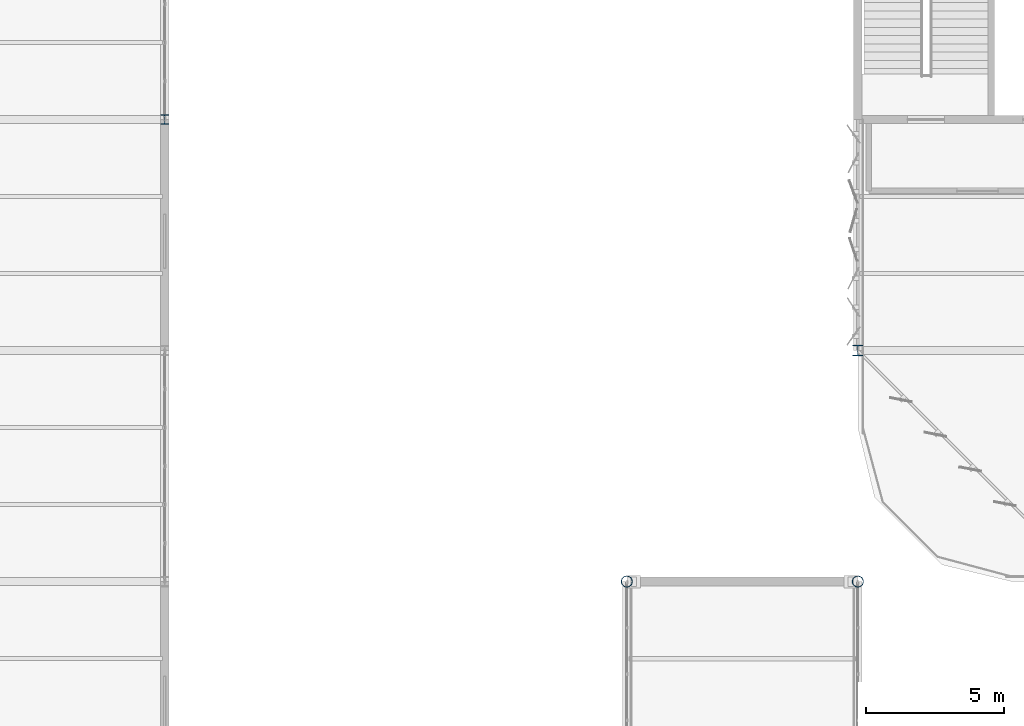
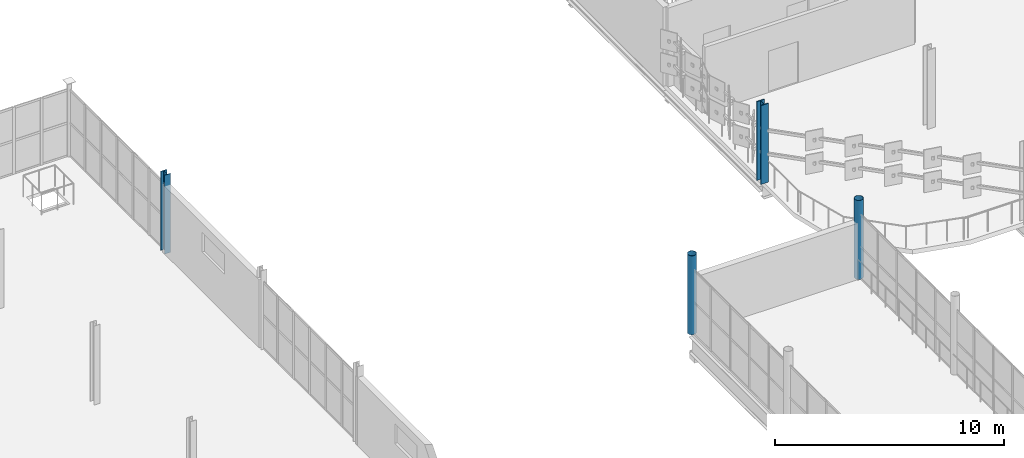
# One storey, part 11 of 163: 4 columns.
"""IFC4 building model written with IfcOpenShell, lengths in metres."""

import ifcopenshell
import ifcopenshell.guid

model = None  # the IFC model being written
_history = None  # IfcOwnerHistory: only IFC2X3 demands one
_inside = {}  # id of a spatial element -> (the spatial element, [elements in it])
_under = {}  # id of a project, library or spatial element -> (it, [spatial elements below it])
_declared = {}  # id of a project -> (the project, [libraries it declares])
_typed = {}  # id of a type object -> (the type object, [elements of that type])
_made_of = {}  # id of a material, layer set ... -> (it, [elements and type objects made of it])


def new_model(schema):
    """Start an empty IFC model of exactly this schema.

    Asked for "IFC4X3", IfcOpenShell would pick the latest addendum, in which some entities
    have other attributes; the version numbers below select the first issue.
    IFC2X3 requires an IfcOwnerHistory on every rooted entity: one is made here for all.
    """
    global model, _history
    if schema == "IFC4X3":
        model = ifcopenshell.file(schema_version=(4, 3, 0, 0))
    else:
        model = ifcopenshell.file(schema=schema)
    _inside.clear()
    _under.clear()
    _declared.clear()
    _typed.clear()
    _made_of.clear()
    _history = None
    if model.schema == "IFC2X3":
        org = make("IfcOrganization", Name="unknown")
        user = make(
            "IfcPersonAndOrganization",
            ThePerson=make("IfcPerson", FamilyName="unknown"),
            TheOrganization=org,
        )
        app = make(
            "IfcApplication",
            ApplicationDeveloper=org,
            Version="unknown",
            ApplicationFullName="unknown",
            ApplicationIdentifier="unknown",
        )
        _history = make(
            "IfcOwnerHistory",
            OwningUser=user,
            OwningApplication=app,
            ChangeAction="ADDED",
            CreationDate=0,
        )
    return model


def make(cls, **values):
    """One entity of the class cls with the attributes given. An attribute that is None is left unset."""
    return model.create_entity(
        cls, **{name: value for name, value in values.items() if value is not None}
    )


def rooted(cls, **values):
    """An entity with a GlobalId (a new one), such as an element, a storey or a relation."""
    return make(cls, GlobalId=ifcopenshell.guid.new(), OwnerHistory=_history, **values)


def si_unit(unit_type, name, prefix=None):
    """IfcSIUnit, for example si_unit("LENGTHUNIT", "METRE", prefix="MILLI")."""
    return make("IfcSIUnit", UnitType=unit_type, Prefix=prefix, Name=name)


def assignment(units):
    """IfcUnitAssignment: the units of a project."""
    return None if units is None else make("IfcUnitAssignment", Units=units)


def point(xyz):
    """IfcCartesianPoint."""
    return None if xyz is None else make("IfcCartesianPoint", Coordinates=xyz)


def direction(xyz):
    """IfcDirection."""
    return None if xyz is None else make("IfcDirection", DirectionRatios=xyz)


def frame(location, z_axis=None, x_axis=None):
    """IfcAxis2Placement3D, a coordinate frame: its origin and axes. An axis left out is left unset."""
    return make(
        "IfcAxis2Placement3D",
        Location=point(location),
        Axis=direction(z_axis),
        RefDirection=direction(x_axis),
    )


def frame_2d(location, x_axis=None):
    """IfcAxis2Placement2D, a coordinate frame in the plane: its origin and x axis."""
    return make(
        "IfcAxis2Placement2D", Location=point(location), RefDirection=direction(x_axis)
    )


def origin():
    """The frame at (0, 0, 0) with its axes left unset."""
    return frame((0.0, 0.0, 0.0))


def origin_2d():
    """The frame at (0, 0) in the plane with its x axis left unset."""
    return frame_2d((0.0, 0.0))


def place(relative_to, where):
    """IfcLocalPlacement: puts the frame where relative to a parent placement (None: the world)."""
    return make(
        "IfcLocalPlacement", PlacementRelTo=relative_to, RelativePlacement=where
    )


def context(
    kind, dimensions, precision=None, world=None, true_north=None, identifier=None
):
    """IfcGeometricRepresentationContext, for example the 3D "Model" context."""
    return make(
        "IfcGeometricRepresentationContext",
        ContextIdentifier=identifier,
        ContextType=kind,
        CoordinateSpaceDimension=dimensions,
        Precision=precision,
        WorldCoordinateSystem=world,
        TrueNorth=true_north,
    )


def subcontext(parent, identifier, kind, view, scale=None):
    """IfcGeometricRepresentationSubContext, for example "Body" below "Model"."""
    return make(
        "IfcGeometricRepresentationSubContext",
        ContextIdentifier=identifier,
        ContextType=kind,
        ParentContext=parent,
        TargetScale=scale,
        TargetView=view,
    )


def project(units=None, contexts=None):
    """IfcProject with its units and contexts."""
    return rooted(
        "IfcProject",
        Name="project",
        RepresentationContexts=contexts,
        UnitsInContext=assignment(units),
    )


def spatial(cls, under=None, at=None, **own):
    """A site, building, storey or space (cls), placed at a placement, below another one or the project."""
    s = rooted(cls, ObjectPlacement=at, **own)
    if under is not None:
        _under.setdefault(under.id(), (under, []))[1].append(s)
    return s


def profile(cls, at=None, kind="AREA", **sizes):
    """A parametric profile (cls). Its sizes go by their IFC names, for example OverallWidth=200.0."""
    return make(cls, ProfileType=kind, Position=at, **sizes)


def hollow_circle(**sizes):
    """IfcCircleHollowProfileDef."""
    return profile("IfcCircleHollowProfileDef", **sizes)


def i_section(**sizes):
    """IfcIShapeProfileDef."""
    return profile("IfcIShapeProfileDef", **sizes)


def extrude(swept, where, along, depth):
    """IfcExtrudedAreaSolid: the profile swept, set in the frame where, extruded along a direction by depth."""
    return make(
        "IfcExtrudedAreaSolid",
        SweptArea=swept,
        Position=where,
        ExtrudedDirection=direction(along),
        Depth=depth,
    )


def shape(context_of_items, identifier, shape_type, items):
    """IfcShapeRepresentation: the items that make up one representation, for example the "Body"."""
    return make(
        "IfcShapeRepresentation",
        ContextOfItems=context_of_items,
        RepresentationIdentifier=identifier,
        RepresentationType=shape_type,
        Items=items,
    )


def material(Name=None, Category=None):
    """IfcMaterial."""
    return make("IfcMaterial", Name=Name, Category=Category)


def material_profile(
    of_material, cross_section, Name=None, Category=None, Priority=None
):
    """IfcMaterialProfile: a cross section and its material."""
    return make(
        "IfcMaterialProfile",
        Name=Name,
        Material=of_material,
        Profile=cross_section,
        Priority=Priority,
        Category=Category,
    )


def profile_set(profiles, Name=None, composite=None):
    """IfcMaterialProfileSet."""
    return make(
        "IfcMaterialProfileSet",
        Name=Name,
        MaterialProfiles=profiles,
        CompositeProfile=composite,
    )


def made_of(thing, what):
    """Note that an element or type object is made of a material, layer set ...; save() writes the relation."""
    if what is not None:
        _made_of.setdefault(what.id(), (what, []))[1].append(thing)
    return thing


def type_object(cls, material=None, **own):
    """A type object (cls), such as IfcWallType, which elements share."""
    return made_of(rooted(cls, **own), material)


def element(
    cls,
    number,
    at=None,
    inside=None,
    cuts=None,
    type_object=None,
    material=None,
    context=None,
    identifier="Body",
    shape_type=None,
    held_by="IfcProductDefinitionShape",
    body=None,
    shapes=None,
    **own,
):
    """One element of the class cls, such as IfcWall. Its Tag is "e" and its number.

    at: its placement. inside: the storey or other place that contains it. cuts: it is an
    opening in that element (IfcRelVoidsElement). A single representation is given by context,
    identifier, shape_type and body (its items); several are given by shapes. held_by: the class
    of the entity that holds the representations. save() writes the other relations.
    """
    e = rooted(cls, Tag="e%d" % number, ObjectPlacement=at, **own)
    if body is not None:
        shapes = [shape(context, identifier, shape_type, body)]
    if shapes is not None:
        e.Representation = make(held_by, Representations=shapes)
    if inside is not None:
        _inside.setdefault(inside.id(), (inside, []))[1].append(e)
    if cuts is not None:
        rooted(
            "IfcRelVoidsElement", RelatingBuildingElement=cuts, RelatedOpeningElement=e
        )
    if type_object is not None:
        _typed.setdefault(type_object.id(), (type_object, []))[1].append(e)
    return made_of(e, material)


def aggregate(whole, parts):
    """IfcRelAggregates: a whole, such as a stair, and the parts it consists of."""
    return rooted("IfcRelAggregates", RelatingObject=whole, RelatedObjects=parts)


def save(model, path):
    """Write the relations noted so far, then the file.

    IfcRelAggregates (storeys below a building ...), IfcRelContainedInSpatialStructure (elements
    in a storey), IfcRelDefinesByType, IfcRelAssociatesMaterial and IfcRelDeclares: one each for
    every whole, place, type object, material and project.
    """
    for whole, parts in _under.values():
        aggregate(whole, parts)
    for where, things in _inside.values():
        rooted(
            "IfcRelContainedInSpatialStructure",
            RelatedElements=things,
            RelatingStructure=where,
        )
    for kind, things in _typed.values():
        rooted("IfcRelDefinesByType", RelatedObjects=things, RelatingType=kind)
    for what, things in _made_of.values():
        rooted("IfcRelAssociatesMaterial", RelatedObjects=things, RelatingMaterial=what)
    for by, libraries in _declared.values():
        rooted("IfcRelDeclares", RelatingContext=by, RelatedDefinitions=libraries)
    model.write(path)


model = new_model("IFC4")

# Units and contexts
model_context = context("Model", 3, precision=1e-05, world=origin(), true_north=direction((0.0, 1.0)))
body_context = subcontext(model_context, "Body", "Model", "MODEL_VIEW")
ifc_project = project(units=[si_unit("LENGTHUNIT", "METRE"), si_unit("AREAUNIT", "SQUARE_METRE"), si_unit("VOLUMEUNIT", "CUBIC_METRE"), si_unit("PLANEANGLEUNIT", "RADIAN"), si_unit("MASSUNIT", "GRAM", prefix="KILO")], contexts=[model_context])

# Site, building, storey
site_placement = place(None, origin())
site = spatial("IfcSite", under=ifc_project, at=site_placement, CompositionType="ELEMENT")
building_placement = place(site_placement, origin())
building = spatial("IfcBuilding", under=site, at=building_placement, Name="Qalvenar Corner Mobility Hub", CompositionType="ELEMENT")
storey_placement = place(building_placement, frame((0.0, 0.0, 4.800048828125)))
storey = spatial("IfcBuildingStorey", under=building, at=storey_placement, Name="L01", CompositionType="ELEMENT", Elevation=4.800048828125)

# Columns
ifc_material = material(Name="Steel S355", Category="steel")
ifc_material_profile_1 = material_profile(ifc_material, hollow_circle(Radius=0.203125, WallThickness=0.012451171875, at=origin_2d()), Name="CHS406.4x12.5")
ifc_profile_set_1 = profile_set([ifc_material_profile_1], Name="Steel S355")
column_type_1 = type_object("IfcColumnType", Name="COL-CHS406", PredefinedType="COLUMN", material=ifc_profile_set_1)
for number, where, z_axis, x_axis, name in (
    (1, (50.39990234375, 67.199951171875, 0.0), (0.0, 0.0, 1.0), (1.0, 0.0, 0.0), "Steel Column L01-G7-8"),
    (2, (58.800048828125, 67.199951171875, 0.0), (0.0, 0.0, 1.0), (1.0, 0.0, 0.0), "Steel Column L01-G8-8"),
):
    element("IfcColumn", number, at=place(storey_placement, frame(where, z_axis=z_axis, x_axis=x_axis)), inside=storey, type_object=column_type_1, Name=name, PredefinedType="COLUMN", context=body_context, shape_type="SweptSolid", body=[
        extrude(hollow_circle(Radius=0.203125, WallThickness=0.012451171875, at=origin_2d()), origin(), (0.0, 0.0, 1.0), 4.199951171875),
    ])
ifc_material_profile_2 = material_profile(ifc_material, i_section(OverallWidth=0.376953125, OverallDepth=0.386962890625, WebThickness=0.0224609375, FlangeThickness=0.035888671875, FilletRadius=0.014892578125, at=origin_2d()), Name="HD360x262")
ifc_profile_set_2 = profile_set([ifc_material_profile_2], Name="Steel S355")
column_type_2 = type_object("IfcColumnType", Name="COL-HD360X262", PredefinedType="COLUMN", material=ifc_profile_set_2)
column_1_placement = place(storey_placement, frame((58.800048828125, 75.60009765625, 0.0), z_axis=(0.0, 0.0, 1.0), x_axis=(1.0, 0.0, 0.0)))
element("IfcColumn", 3, at=column_1_placement, inside=storey, type_object=column_type_2, Name="Steel Column L01-G8-9", PredefinedType="COLUMN", context=body_context, shape_type="SweptSolid", body=[
    extrude(i_section(OverallWidth=0.376953125, OverallDepth=0.386962890625, WebThickness=0.0224609375, FlangeThickness=0.035888671875, FilletRadius=0.014892578125, at=origin_2d()), origin(), (0.0, 0.0, 1.0), 4.199951171875),
])
ifc_material_profile_3 = material_profile(ifc_material, i_section(OverallWidth=0.300048828125, OverallDepth=0.360107421875, WebThickness=0.012451171875, FlangeThickness=0.0224609375, FilletRadius=0.027099609375, at=origin_2d()), Name="HEB360")
ifc_profile_set_3 = profile_set([ifc_material_profile_3], Name="Steel S355")
column_type_3 = type_object("IfcColumnType", Name="COL-HEB360", PredefinedType="COLUMN", material=ifc_profile_set_3)
column_2_placement = place(storey_placement, frame((33.60009765625, 84.0, 0.0), z_axis=(0.0, 0.0, 1.0), x_axis=(1.0, 0.0, 0.0)))
element("IfcColumn", 4, at=column_2_placement, inside=storey, type_object=column_type_3, Name="Steel Column L01-G5-10", PredefinedType="COLUMN", context=body_context, shape_type="SweptSolid", body=[
    extrude(i_section(OverallWidth=0.300048828125, OverallDepth=0.360107421875, WebThickness=0.012451171875, FlangeThickness=0.0224609375, FilletRadius=0.027099609375, at=origin_2d()), origin(), (0.0, 0.0, 1.0), 4.199951171875),
])

save(model, "model.ifc")
